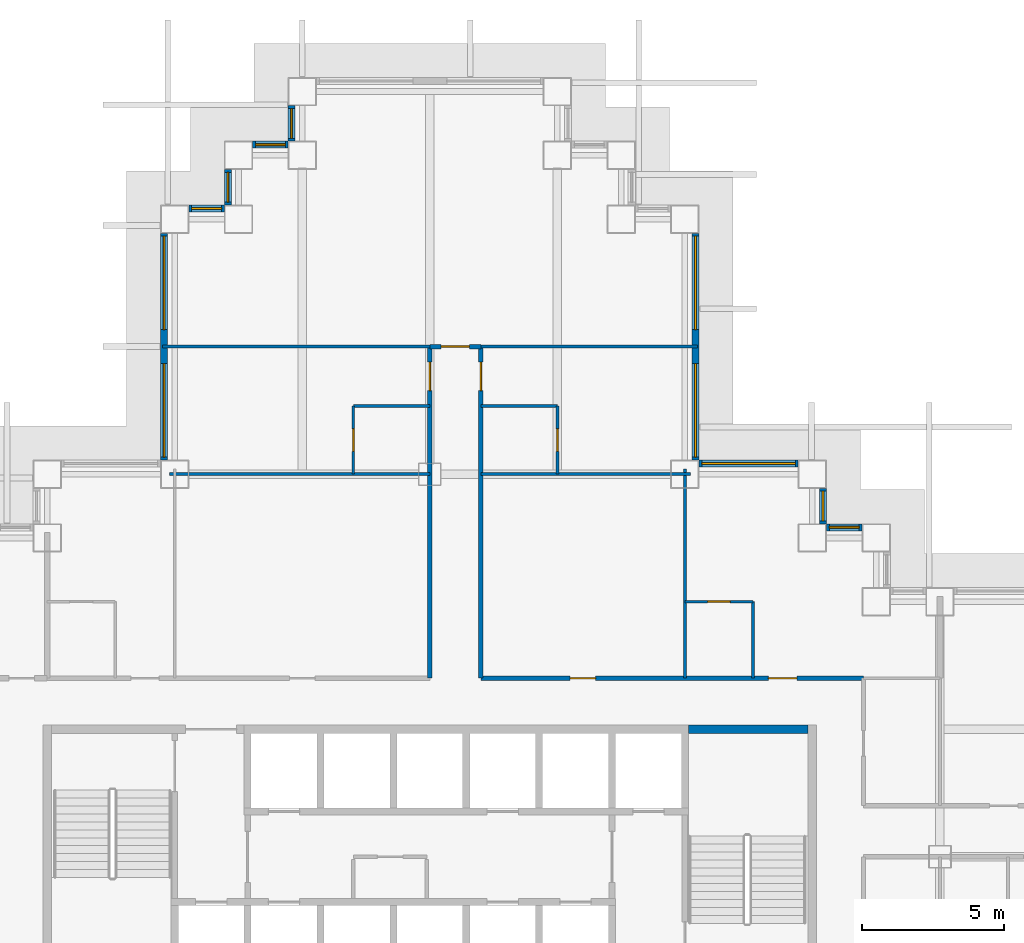
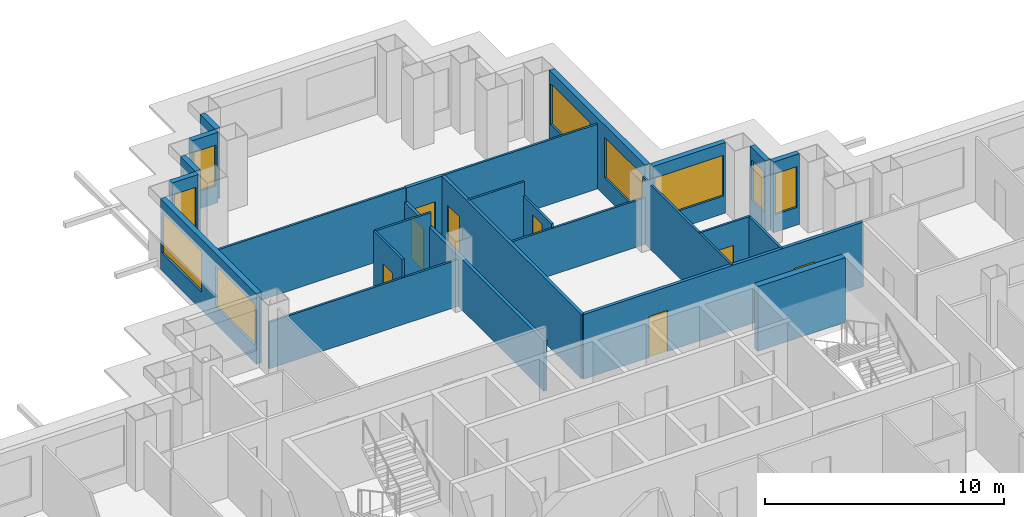
# One storey, part 8 of 15: 25 walls, 11 windows, 8 doors, 19 openings.
"""IFC4 building model written with IfcOpenShell, lengths in metres."""

from ifc_helpers import new_model, si_unit, direction, frame, frame_2d, origin, place, context, subcontext, project, spatial, rectangle, extrude, material, layer, layer_set, type_object, element, fill, save


model = new_model("IFC4")

# Units and contexts
model_context = context("Model", 3, precision=1e-05, world=origin(), true_north=direction((0.0, 1.0)))
body_context = subcontext(model_context, "Body", "Model", "MODEL_VIEW")
ifc_project = project(units=[si_unit("LENGTHUNIT", "METRE"), si_unit("AREAUNIT", "SQUARE_METRE"), si_unit("VOLUMEUNIT", "CUBIC_METRE"), si_unit("PLANEANGLEUNIT", "RADIAN"), si_unit("MASSUNIT", "GRAM", prefix="KILO")], contexts=[model_context])

# Site, building, storey
site_placement = place(None, origin())
site = spatial("IfcSite", under=ifc_project, at=site_placement, CompositionType="ELEMENT")
building_placement = place(site_placement, origin())
building = spatial("IfcBuilding", under=site, at=building_placement, Name="Caravel Reach Hotel and Residences", CompositionType="ELEMENT")
storey_placement = place(building_placement, frame((0.0, 0.0, 60.0)))
storey = spatial("IfcBuildingStorey", under=building, at=storey_placement, Name="L13", CompositionType="ELEMENT", Elevation=60.0)

# Wall, opening, door
ifc_material_1 = material(Name="Gypsum board on steel stud", Category="steel")
ifc_layer_1 = layer(ifc_material_1, 0.10009765625)
ifc_layer_set_1 = layer_set([ifc_layer_1], Name="Bathroom pod wall 100 mm")
wall_type_1 = type_object("IfcWallType", Name="Bathroom pod wall 100 mm", PredefinedType="PARTITIONING", material=ifc_layer_set_1)
wall_1_placement = place(storey_placement, frame((40.5, 36.0, 0.0), z_axis=(0.0, 0.0, 1.0), x_axis=(1.0, 0.0, 0.0)))
wall_1 = element("IfcWall", 1, at=wall_1_placement, inside=storey, type_object=wall_type_1, Name="L13 wall w083", PredefinedType="PARTITIONING", context=body_context, shape_type="SweptSolid", body=[
    extrude(rectangle(XDim=2.39990234375, YDim=0.10009765625, at=frame_2d((1.199951171875, 0.0))), origin(), (0.0, 0.0, 1.0), 3.300048828125),
])
opening_1_placement = place(wall_1_placement, frame((0.800048828125, 0.0, 0.0)))
opening_1 = element("IfcOpeningElement", 2, at=opening_1_placement, cuts=wall_1, Name="Opening D13-045", PredefinedType="OPENING", context=body_context, shape_type="SweptSolid", body=[
    extrude(rectangle(XDim=0.800048828125, YDim=2.10009765625, at=frame_2d((0.39990234375, 1.050048828125))), frame((0.0, 0.06005859375, 0.0), z_axis=(0.0, -1.0, 0.0), x_axis=(1.0, 0.0, 0.0)), (0.0, 0.0, 1.0), 0.1201171875),
])
ifc_material_2 = material(Name="Timber and steel door leaf", Category="steel")
door_type_1 = type_object("IfcDoorType", Name="Bathroom door 800 x 2100", OperationType="SINGLE_SWING_LEFT", PredefinedType="DOOR", material=ifc_material_2)
door_1_placement = place(opening_1_placement, origin())
door_1 = element("IfcDoor", 3, at=door_1_placement, inside=storey, type_object=door_type_1, Name="door D13-045", OperationType="SINGLE_SWING_RIGHT", OverallHeight=2.10009765625, OverallWidth=0.800048828125, PredefinedType="DOOR", context=body_context, shape_type="SweptSolid", body=[
    extrude(rectangle(XDim=0.800048828125, YDim=2.10009765625, at=frame_2d((0.39990234375, 1.050048828125))), frame((0.0, 0.02490234375, 0.0), z_axis=(0.0, -1.0, 0.0), x_axis=(1.0, 0.0, 0.0)), (0.0, 0.0, 1.0), 0.050048828125),
])
fill(opening_1, door_1)

# Walls
for number, where, z_axis, x_axis, name in (
    (4, (33.300048828125, 42.89990234375, 0.0), (0.0, 0.0, 1.0), (1.0, 0.0, 0.0), "L13 wall w084"),
    (5, (28.800048828125, 42.89990234375, 0.0), (0.0, 0.0, 1.0), (1.0, 0.0, 0.0), "L13 wall w085"),
):
    element("IfcWall", number, at=place(storey_placement, frame(where, z_axis=z_axis, x_axis=x_axis)), inside=storey, type_object=wall_type_1, Name=name, PredefinedType="PARTITIONING", context=body_context, shape_type="SweptSolid", body=[
        extrude(rectangle(XDim=2.699951171875, YDim=0.10009765625, at=frame_2d((1.35009765625, 0.0))), origin(), (0.0, 0.0, 1.0), 3.300048828125),
    ])

# Wall, opening, door
wall_2_placement = place(storey_placement, frame((28.800048828125, 40.5, 0.0), z_axis=(0.0, 0.0, 1.0), x_axis=(0.0, 1.0, 0.0)))
wall_2 = element("IfcWall", 6, at=wall_2_placement, inside=storey, type_object=wall_type_1, Name="L13 wall w094", PredefinedType="PARTITIONING", context=body_context, shape_type="SweptSolid", body=[
    extrude(rectangle(XDim=2.39990234375, YDim=0.10009765625, at=frame_2d((1.199951171875, 0.0))), origin(), (0.0, 0.0, 1.0), 3.300048828125),
])
opening_2_placement = place(wall_2_placement, frame((0.800048828125, 0.0, 0.0)))
opening_2 = element("IfcOpeningElement", 7, at=opening_2_placement, cuts=wall_2, Name="Opening D13-027", PredefinedType="OPENING", context=body_context, shape_type="SweptSolid", body=[
    extrude(rectangle(XDim=0.800048828125, YDim=2.10009765625, at=frame_2d((0.39990234375, 1.050048828125))), frame((0.0, 0.06005859375, 0.0), z_axis=(0.0, -1.0, 0.0), x_axis=(1.0, 0.0, 0.0)), (0.0, 0.0, 1.0), 0.1201171875),
])
door_2_placement = place(opening_2_placement, origin())
door_2 = element("IfcDoor", 8, at=door_2_placement, inside=storey, type_object=door_type_1, Name="door D13-027", OperationType="SINGLE_SWING_RIGHT", OverallHeight=2.10009765625, OverallWidth=0.800048828125, PredefinedType="DOOR", context=body_context, shape_type="SweptSolid", body=[
    extrude(rectangle(XDim=0.800048828125, YDim=2.10009765625, at=frame_2d((0.39990234375, 1.050048828125))), frame((0.0, 0.02490234375, 0.0), z_axis=(0.0, -1.0, 0.0), x_axis=(1.0, 0.0, 0.0)), (0.0, 0.0, 1.0), 0.050048828125),
])
fill(opening_2, door_2)

wall_3_placement = place(storey_placement, frame((36.0, 40.5, 0.0), z_axis=(0.0, 0.0, 1.0), x_axis=(0.0, 1.0, 0.0)))
wall_3 = element("IfcWall", 9, at=wall_3_placement, inside=storey, type_object=wall_type_1, Name="L13 wall w096", PredefinedType="PARTITIONING", context=body_context, shape_type="SweptSolid", body=[
    extrude(rectangle(XDim=2.39990234375, YDim=0.10009765625, at=frame_2d((1.199951171875, 0.0))), origin(), (0.0, 0.0, 1.0), 2.580078125),
])
opening_3_placement = place(wall_3_placement, frame((0.800048828125, 0.0, 0.0)))
opening_3 = element("IfcOpeningElement", 10, at=opening_3_placement, cuts=wall_3, Name="Opening D13-029", PredefinedType="OPENING", context=body_context, shape_type="SweptSolid", body=[
    extrude(rectangle(XDim=0.800048828125, YDim=2.10009765625, at=frame_2d((0.39990234375, 1.050048828125))), frame((0.0, 0.06005859375, 0.0), z_axis=(0.0, -1.0, 0.0), x_axis=(1.0, 0.0, 0.0)), (0.0, 0.0, 1.0), 0.1201171875),
])
door_3_placement = place(opening_3_placement, origin())
door_3 = element("IfcDoor", 11, at=door_3_placement, inside=storey, type_object=door_type_1, Name="door D13-029", OperationType="SINGLE_SWING_LEFT", OverallHeight=2.10009765625, OverallWidth=0.800048828125, PredefinedType="DOOR", context=body_context, shape_type="SweptSolid", body=[
    extrude(rectangle(XDim=0.800048828125, YDim=2.10009765625, at=frame_2d((0.39990234375, 1.050048828125))), frame((0.0, 0.02490234375, 0.0), z_axis=(0.0, -1.0, 0.0), x_axis=(1.0, 0.0, 0.0)), (0.0, 0.0, 1.0), 0.050048828125),
])
fill(opening_3, door_3)

# Walls
wall_4_placement = place(storey_placement, frame((42.89990234375, 33.300048828125, 0.0), z_axis=(0.0, 0.0, 1.0), x_axis=(0.0, 1.0, 0.0)))
element("IfcWall", 12, at=wall_4_placement, inside=storey, type_object=wall_type_1, Name="L13 wall w097", PredefinedType="PARTITIONING", context=body_context, shape_type="SweptSolid", body=[
    extrude(rectangle(XDim=2.699951171875, YDim=0.10009765625, at=frame_2d((1.35009765625, 0.0))), origin(), (0.0, 0.0, 1.0), 3.300048828125),
])
ifc_material_3 = material(Name="Concrete C60", Category="concrete")
ifc_layer_2 = layer(ifc_material_3, 0.300048828125)
ifc_layer_set_2 = layer_set([ifc_layer_2], Name="Core wall 300 mm EI 120")
wall_type_2 = type_object("IfcWallType", Name="Core wall 300 mm EI 120", PredefinedType="SHEAR", material=ifc_layer_set_2)
wall_5_placement = place(storey_placement, frame((40.625, 31.5, 0.0), z_axis=(0.0, 0.0, 1.0), x_axis=(1.0, 0.0, 0.0)))
element("IfcWall", 13, at=wall_5_placement, inside=storey, type_object=wall_type_2, Name="L13 core wall N2", PredefinedType="SHEAR", context=body_context, shape_type="SweptSolid", body=[
    extrude(rectangle(XDim=4.22509765625, YDim=0.300048828125, at=frame_2d((2.112548828125, 0.0))), origin(), (0.0, 0.0, 1.0), 3.300048828125),
])

# Wall, openings, doors
ifc_material_4 = material(Name="Gypsum board on steel stud, fire-rated", Category="steel")
ifc_layer_3 = layer(ifc_material_4, 0.14990234375)
ifc_layer_set_3 = layer_set([ifc_layer_3], Name="Corridor wall 150 mm EI 60")
wall_type_3 = type_object("IfcWallType", Name="Corridor wall 150 mm EI 60", PredefinedType="PARTITIONING", material=ifc_layer_set_3)
wall_6_placement = place(storey_placement, frame((33.300048828125, 33.300048828125, 0.0), z_axis=(0.0, 0.0, 1.0), x_axis=(1.0, 0.0, 0.0)))
wall_6 = element("IfcWall", 14, at=wall_6_placement, inside=storey, type_object=wall_type_3, Name="L13 wall w021", PredefinedType="PARTITIONING", context=body_context, shape_type="SweptSolid", body=[
    extrude(rectangle(XDim=13.5, YDim=0.14990234375, at=frame_2d((6.75, 0.0))), origin(), (0.0, 0.0, 1.0), 3.300048828125),
])
opening_4_placement = place(wall_6_placement, frame((10.14990234375, 0.0, 0.0)))
opening_4 = element("IfcOpeningElement", 15, at=opening_4_placement, cuts=wall_6, Name="Opening D13-044", PredefinedType="OPENING", context=body_context, shape_type="SweptSolid", body=[
    extrude(rectangle(XDim=1.0, YDim=2.10009765625, at=frame_2d((0.5, 1.050048828125))), frame((0.0, 0.0849609375, 0.0), z_axis=(0.0, -1.0, 0.0), x_axis=(1.0, 0.0, 0.0)), (0.0, 0.0, 1.0), 0.169921875),
])
opening_5_placement = place(wall_6_placement, frame((3.14990234375, 0.0, 0.0)))
opening_5 = element("IfcOpeningElement", 16, at=opening_5_placement, cuts=wall_6, Name="Opening D13-053", PredefinedType="OPENING", context=body_context, shape_type="SweptSolid", body=[
    extrude(rectangle(XDim=0.89990234375, YDim=2.10009765625, at=frame_2d((0.449951171875, 1.050048828125))), frame((0.0, 0.0849609375, 0.0), z_axis=(0.0, -1.0, 0.0), x_axis=(1.0, 0.0, 0.0)), (0.0, 0.0, 1.0), 0.169921875),
])
ifc_material_5 = material(Name="Timber and steel door leaf", Category="steel")
door_type_2 = type_object("IfcDoorType", Name="Door 900 x 2100 timber", OperationType="SINGLE_SWING_LEFT", PredefinedType="DOOR", material=ifc_material_5)
door_4_placement = place(opening_5_placement, origin())
door_4 = element("IfcDoor", 17, at=door_4_placement, inside=storey, type_object=door_type_2, Name="door D13-053", OperationType="SINGLE_SWING_LEFT", OverallHeight=2.10009765625, OverallWidth=0.89990234375, PredefinedType="DOOR", context=body_context, shape_type="SweptSolid", body=[
    extrude(rectangle(XDim=0.89990234375, YDim=2.10009765625, at=frame_2d((0.449951171875, 1.050048828125))), frame((0.0, 0.02490234375, 0.0), z_axis=(0.0, -1.0, 0.0), x_axis=(1.0, 0.0, 0.0)), (0.0, 0.0, 1.0), 0.050048828125),
])
fill(opening_5, door_4)
ifc_material_6 = material(Name="Steel fire door leaf", Category="steel")
door_type_3 = type_object("IfcDoorType", Name="Guest room door 1000 x 2100 EI 30", OperationType="SINGLE_SWING_LEFT", PredefinedType="DOOR", material=ifc_material_6)
door_5_placement = place(opening_4_placement, origin())
door_5 = element("IfcDoor", 18, at=door_5_placement, inside=storey, type_object=door_type_3, Name="door D13-044", OperationType="SINGLE_SWING_RIGHT", OverallHeight=2.10009765625, OverallWidth=1.0, PredefinedType="DOOR", context=body_context, shape_type="SweptSolid", body=[
    extrude(rectangle(XDim=1.0, YDim=2.10009765625, at=frame_2d((0.5, 1.050048828125))), frame((0.0, 0.02490234375, 0.0), z_axis=(0.0, -1.0, 0.0), x_axis=(1.0, 0.0, 0.0)), (0.0, 0.0, 1.0), 0.050048828125),
])
fill(opening_4, door_5)

# Wall, opening, door
wall_7_placement = place(storey_placement, frame((31.5, 45.0, 0.0), z_axis=(0.0, 0.0, 1.0), x_axis=(1.0, 0.0, 0.0)))
wall_7 = element("IfcWall", 19, at=wall_7_placement, inside=storey, type_object=wall_type_3, Name="L13 wall w023", PredefinedType="PARTITIONING", context=body_context, shape_type="SweptSolid", body=[
    extrude(rectangle(XDim=1.800048828125, YDim=0.14990234375, at=frame_2d((0.89990234375, 0.0))), origin(), (0.0, 0.0, 1.0), 3.300048828125),
])
opening_6_placement = place(wall_7_placement, frame((0.39990234375, 0.0, 0.0)))
opening_6 = element("IfcOpeningElement", 20, at=opening_6_placement, cuts=wall_7, Name="Opening D13-039", PredefinedType="OPENING", context=body_context, shape_type="SweptSolid", body=[
    extrude(rectangle(XDim=1.0, YDim=2.10009765625, at=frame_2d((0.5, 1.050048828125))), frame((0.0, 0.0849609375, 0.0), z_axis=(0.0, -1.0, 0.0), x_axis=(1.0, 0.0, 0.0)), (0.0, 0.0, 1.0), 0.169921875),
])
door_6_placement = place(opening_6_placement, origin())
door_6 = element("IfcDoor", 21, at=door_6_placement, inside=storey, type_object=door_type_3, Name="door D13-039", OperationType="SINGLE_SWING_RIGHT", OverallHeight=2.10009765625, OverallWidth=1.0, PredefinedType="DOOR", context=body_context, shape_type="SweptSolid", body=[
    extrude(rectangle(XDim=1.0, YDim=2.10009765625, at=frame_2d((0.5, 1.050048828125))), frame((0.0, 0.02490234375, 0.0), z_axis=(0.0, -1.0, 0.0), x_axis=(1.0, 0.0, 0.0)), (0.0, 0.0, 1.0), 0.050048828125),
])
fill(opening_6, door_6)

wall_8_placement = place(storey_placement, frame((31.5, 33.300048828125, 0.0), z_axis=(0.0, 0.0, 1.0), x_axis=(0.0, 1.0, 0.0)))
wall_8 = element("IfcWall", 22, at=wall_8_placement, inside=storey, type_object=wall_type_3, Name="L13 wall w030", PredefinedType="PARTITIONING", context=body_context, shape_type="SweptSolid", body=[
    extrude(rectangle(XDim=11.699951171875, YDim=0.14990234375, at=frame_2d((5.85009765625, 0.0))), origin(), (0.0, 0.0, 1.0), 2.580078125),
])
opening_7_placement = place(wall_8_placement, frame((10.14990234375, 0.0, 0.0)))
opening_7 = element("IfcOpeningElement", 23, at=opening_7_placement, cuts=wall_8, Name="Opening D13-026", PredefinedType="OPENING", context=body_context, shape_type="SweptSolid", body=[
    extrude(rectangle(XDim=1.0, YDim=2.10009765625, at=frame_2d((0.5, 1.050048828125))), frame((0.0, 0.0849609375, 0.0), z_axis=(0.0, -1.0, 0.0), x_axis=(1.0, 0.0, 0.0)), (0.0, 0.0, 1.0), 0.169921875),
])
door_7_placement = place(opening_7_placement, origin())
door_7 = element("IfcDoor", 24, at=door_7_placement, inside=storey, type_object=door_type_3, Name="door D13-026", OperationType="SINGLE_SWING_RIGHT", OverallHeight=2.10009765625, OverallWidth=1.0, PredefinedType="DOOR", context=body_context, shape_type="SweptSolid", body=[
    extrude(rectangle(XDim=1.0, YDim=2.10009765625, at=frame_2d((0.5, 1.050048828125))), frame((0.0, 0.02490234375, 0.0), z_axis=(0.0, -1.0, 0.0), x_axis=(1.0, 0.0, 0.0)), (0.0, 0.0, 1.0), 0.050048828125),
])
fill(opening_7, door_7)

wall_9_placement = place(storey_placement, frame((33.300048828125, 33.300048828125, 0.0), z_axis=(0.0, 0.0, 1.0), x_axis=(0.0, 1.0, 0.0)))
wall_9 = element("IfcWall", 25, at=wall_9_placement, inside=storey, type_object=wall_type_3, Name="L13 wall w035", PredefinedType="PARTITIONING", context=body_context, shape_type="SweptSolid", body=[
    extrude(rectangle(XDim=11.699951171875, YDim=0.14990234375, at=frame_2d((5.85009765625, 0.0))), origin(), (0.0, 0.0, 1.0), 3.300048828125),
])
opening_8_placement = place(wall_9_placement, frame((10.14990234375, 0.0, 0.0)))
opening_8 = element("IfcOpeningElement", 26, at=opening_8_placement, cuts=wall_9, Name="Opening D13-028", PredefinedType="OPENING", context=body_context, shape_type="SweptSolid", body=[
    extrude(rectangle(XDim=1.0, YDim=2.10009765625, at=frame_2d((0.5, 1.050048828125))), frame((0.0, 0.0849609375, 0.0), z_axis=(0.0, -1.0, 0.0), x_axis=(1.0, 0.0, 0.0)), (0.0, 0.0, 1.0), 0.169921875),
])
door_8_placement = place(opening_8_placement, origin())
door_8 = element("IfcDoor", 27, at=door_8_placement, inside=storey, type_object=door_type_3, Name="door D13-028", OperationType="SINGLE_SWING_RIGHT", OverallHeight=2.10009765625, OverallWidth=1.0, PredefinedType="DOOR", context=body_context, shape_type="SweptSolid", body=[
    extrude(rectangle(XDim=1.0, YDim=2.10009765625, at=frame_2d((0.5, 1.050048828125))), frame((0.0, 0.02490234375, 0.0), z_axis=(0.0, -1.0, 0.0), x_axis=(1.0, 0.0, 0.0)), (0.0, 0.0, 1.0), 0.050048828125),
])
fill(opening_8, door_8)

# Wall, opening, window
ifc_material_7 = material(Name="Insulated rainscreen wall, aluminium cladding", Category="aluminium")
ifc_layer_4 = layer(ifc_material_7, 0.25)
ifc_layer_set_4 = layer_set([ifc_layer_4], Name="EW1 Tower rainscreen wall")
wall_type_4 = type_object("IfcWallType", Name="EW1 Tower rainscreen wall", PredefinedType="SOLIDWALL", material=ifc_layer_set_4)
wall_10_placement = place(storey_placement, frame((46.75, 38.625, 0.0), z_axis=(0.0, 0.0, 1.0), x_axis=(-1.0, 0.0, 0.0)))
wall_10 = element("IfcWall", 28, at=wall_10_placement, inside=storey, type_object=wall_type_4, Name="External wall L13 N27.1", PredefinedType="SOLIDWALL", context=body_context, shape_type="SweptSolid", body=[
    extrude(rectangle(XDim=1.25, YDim=0.25, at=frame_2d((0.625, 0.0))), origin(), (0.0, 0.0, 1.0), 3.60009765625),
])
opening_9_placement = place(wall_10_placement, frame((0.10009765625, 0.0, 0.89990234375)))
opening_9 = element("IfcOpeningElement", 29, at=opening_9_placement, cuts=wall_10, Name="Opening WN3", PredefinedType="OPENING", context=body_context, shape_type="SweptSolid", body=[
    extrude(rectangle(XDim=1.050048828125, YDim=2.080078125, at=frame_2d((0.52490234375, 1.0400390625))), frame((0.0, 0.135009765625, 0.0), z_axis=(0.0, -1.0, 0.0), x_axis=(1.0, 0.0, 0.0)), (0.0, 0.0, 1.0), 0.27001953125),
])
ifc_material_8 = material(Name="Dark low-e glazing in black aluminium frame", Category="aluminium")
window_type_1 = type_object("IfcWindowType", Name="Hotel suite corner window 1050 x 2080", PartitioningType="SINGLE_PANEL", PredefinedType="WINDOW", material=ifc_material_8)
window_1_placement = place(opening_9_placement, origin())
window_1 = element("IfcWindow", 30, at=window_1_placement, inside=storey, type_object=window_type_1, Name="Window L13 N27.1.1", OverallHeight=2.080078125, OverallWidth=1.050048828125, PartitioningType="SINGLE_PANEL", PredefinedType="WINDOW", context=body_context, shape_type="SweptSolid", body=[
    extrude(rectangle(XDim=1.050048828125, YDim=2.080078125, at=frame_2d((0.52490234375, 1.0400390625))), frame((0.0, 0.030029296875, 0.0), z_axis=(0.0, -1.0, 0.0), x_axis=(1.0, 0.0, 0.0)), (0.0, 0.0, 1.0), 0.06005859375),
])
fill(opening_9, window_1)

wall_11_placement = place(storey_placement, frame((45.375, 38.75, 0.0), z_axis=(0.0, 0.0, 1.0), x_axis=(0.0, 1.0, 0.0)))
wall_11 = element("IfcWall", 31, at=wall_11_placement, inside=storey, type_object=wall_type_4, Name="External wall L13 E28.1", PredefinedType="SOLIDWALL", context=body_context, shape_type="SweptSolid", body=[
    extrude(rectangle(XDim=1.25, YDim=0.25, at=frame_2d((0.625, 0.0))), origin(), (0.0, 0.0, 1.0), 3.60009765625),
])
opening_10_placement = place(wall_11_placement, frame((0.10009765625, 0.0, 0.89990234375)))
opening_10 = element("IfcOpeningElement", 32, at=opening_10_placement, cuts=wall_11, Name="Opening WN3", PredefinedType="OPENING", context=body_context, shape_type="SweptSolid", body=[
    extrude(rectangle(XDim=1.050048828125, YDim=2.080078125, at=frame_2d((0.52490234375, 1.0400390625))), frame((0.0, 0.135009765625, 0.0), z_axis=(0.0, -1.0, 0.0), x_axis=(1.0, 0.0, 0.0)), (0.0, 0.0, 1.0), 0.27001953125),
])
window_2_placement = place(opening_10_placement, origin())
window_2 = element("IfcWindow", 33, at=window_2_placement, inside=storey, type_object=window_type_1, Name="Window L13 E28.1.1", OverallHeight=2.080078125, OverallWidth=1.050048828125, PartitioningType="SINGLE_PANEL", PredefinedType="WINDOW", context=body_context, shape_type="SweptSolid", body=[
    extrude(rectangle(XDim=1.050048828125, YDim=2.080078125, at=frame_2d((0.52490234375, 1.0400390625))), frame((0.0, 0.030029296875, 0.0), z_axis=(0.0, -1.0, 0.0), x_axis=(1.0, 0.0, 0.0)), (0.0, 0.0, 1.0), 0.06005859375),
])
fill(opening_10, window_2)

wall_12_placement = place(storey_placement, frame((44.5, 40.875, 0.0), z_axis=(0.0, 0.0, 1.0), x_axis=(-1.0, 0.0, 0.0)))
wall_12 = element("IfcWall", 34, at=wall_12_placement, inside=storey, type_object=wall_type_4, Name="External wall L13 N29.1", PredefinedType="SOLIDWALL", context=body_context, shape_type="SweptSolid", body=[
    extrude(rectangle(XDim=3.5, YDim=0.25, at=frame_2d((1.75, 0.0))), origin(), (0.0, 0.0, 1.0), 3.60009765625),
])
opening_11_placement = place(wall_12_placement, frame((0.10009765625, 0.0, 0.89990234375)))
opening_11 = element("IfcOpeningElement", 35, at=opening_11_placement, cuts=wall_12, Name="Opening WN4", PredefinedType="OPENING", context=body_context, shape_type="SweptSolid", body=[
    extrude(rectangle(XDim=3.300048828125, YDim=2.080078125, at=frame_2d((1.64990234375, 1.0400390625))), frame((0.0, 0.135009765625, 0.0), z_axis=(0.0, -1.0, 0.0), x_axis=(1.0, 0.0, 0.0)), (0.0, 0.0, 1.0), 0.27001953125),
])
ifc_material_9 = material(Name="Dark low-e glazing in black aluminium frame", Category="aluminium")
window_type_2 = type_object("IfcWindowType", Name="Hotel guest room window 3300 x 2080", PartitioningType="SINGLE_PANEL", PredefinedType="WINDOW", material=ifc_material_9)
window_3_placement = place(opening_11_placement, origin())
window_3 = element("IfcWindow", 36, at=window_3_placement, inside=storey, type_object=window_type_2, Name="Window L13 N29.1.1", OverallHeight=2.080078125, OverallWidth=3.300048828125, PartitioningType="SINGLE_PANEL", PredefinedType="WINDOW", context=body_context, shape_type="SweptSolid", body=[
    extrude(rectangle(XDim=3.300048828125, YDim=2.080078125, at=frame_2d((1.64990234375, 1.0400390625))), frame((0.0, 0.030029296875, 0.0), z_axis=(0.0, -1.0, 0.0), x_axis=(1.0, 0.0, 0.0)), (0.0, 0.0, 1.0), 0.06005859375),
])
fill(opening_11, window_3)

# Wall, openings, windows
wall_13_placement = place(storey_placement, frame((40.875, 41.0, 0.0), z_axis=(0.0, 0.0, 1.0), x_axis=(0.0, 1.0, 0.0)))
wall_13 = element("IfcWall", 37, at=wall_13_placement, inside=storey, type_object=wall_type_4, Name="External wall L13 E30.1", PredefinedType="SOLIDWALL", context=body_context, shape_type="SweptSolid", body=[
    extrude(rectangle(XDim=8.0, YDim=0.25, at=frame_2d((4.0, 0.0))), origin(), (0.0, 0.0, 1.0), 3.60009765625),
])
opening_12_placement = place(wall_13_placement, frame((0.10009765625, 0.0, 0.89990234375)))
opening_12 = element("IfcOpeningElement", 38, at=opening_12_placement, cuts=wall_13, Name="Opening WN4", PredefinedType="OPENING", context=body_context, shape_type="SweptSolid", body=[
    extrude(rectangle(XDim=3.300048828125, YDim=2.080078125, at=frame_2d((1.64990234375, 1.0400390625))), frame((0.0, 0.135009765625, 0.0), z_axis=(0.0, -1.0, 0.0), x_axis=(1.0, 0.0, 0.0)), (0.0, 0.0, 1.0), 0.27001953125),
])
opening_13_placement = place(wall_13_placement, frame((4.60009765625, 0.0, 0.89990234375)))
opening_13 = element("IfcOpeningElement", 39, at=opening_13_placement, cuts=wall_13, Name="Opening WN4", PredefinedType="OPENING", context=body_context, shape_type="SweptSolid", body=[
    extrude(rectangle(XDim=3.300048828125, YDim=2.080078125, at=frame_2d((1.64990234375, 1.0400390625))), frame((0.0, 0.135009765625, 0.0), z_axis=(0.0, -1.0, 0.0), x_axis=(1.0, 0.0, 0.0)), (0.0, 0.0, 1.0), 0.27001953125),
])
window_4_placement = place(opening_12_placement, origin())
window_4 = element("IfcWindow", 40, at=window_4_placement, inside=storey, type_object=window_type_2, Name="Window L13 E30.1.1", OverallHeight=2.080078125, OverallWidth=3.300048828125, PartitioningType="SINGLE_PANEL", PredefinedType="WINDOW", context=body_context, shape_type="SweptSolid", body=[
    extrude(rectangle(XDim=3.300048828125, YDim=2.080078125, at=frame_2d((1.64990234375, 1.0400390625))), frame((0.0, 0.030029296875, 0.0), z_axis=(0.0, -1.0, 0.0), x_axis=(1.0, 0.0, 0.0)), (0.0, 0.0, 1.0), 0.06005859375),
])
fill(opening_12, window_4)
window_5_placement = place(opening_13_placement, origin())
window_5 = element("IfcWindow", 41, at=window_5_placement, inside=storey, type_object=window_type_2, Name="Window L13 E30.1.2", OverallHeight=2.080078125, OverallWidth=3.300048828125, PartitioningType="SINGLE_PANEL", PredefinedType="WINDOW", context=body_context, shape_type="SweptSolid", body=[
    extrude(rectangle(XDim=3.300048828125, YDim=2.080078125, at=frame_2d((1.64990234375, 1.0400390625))), frame((0.0, 0.030029296875, 0.0), z_axis=(0.0, -1.0, 0.0), x_axis=(1.0, 0.0, 0.0)), (0.0, 0.0, 1.0), 0.06005859375),
])
fill(opening_13, window_5)

# Wall, opening, window
wall_14_placement = place(storey_placement, frame((26.625, 53.5, 0.0), z_axis=(0.0, 0.0, 1.0), x_axis=(0.0, -1.0, 0.0)))
wall_14 = element("IfcWall", 42, at=wall_14_placement, inside=storey, type_object=wall_type_4, Name="External wall L13 W36.1", PredefinedType="SOLIDWALL", context=body_context, shape_type="SweptSolid", body=[
    extrude(rectangle(XDim=1.25, YDim=0.25, at=frame_2d((0.625, 0.0))), origin(), (0.0, 0.0, 1.0), 3.60009765625),
])
opening_14_placement = place(wall_14_placement, frame((0.10009765625, 0.0, 0.89990234375)))
opening_14 = element("IfcOpeningElement", 43, at=opening_14_placement, cuts=wall_14, Name="Opening WN3", PredefinedType="OPENING", context=body_context, shape_type="SweptSolid", body=[
    extrude(rectangle(XDim=1.050048828125, YDim=2.080078125, at=frame_2d((0.52490234375, 1.0400390625))), frame((0.0, 0.135009765625, 0.0), z_axis=(0.0, -1.0, 0.0), x_axis=(1.0, 0.0, 0.0)), (0.0, 0.0, 1.0), 0.27001953125),
])
window_6_placement = place(opening_14_placement, origin())
window_6 = element("IfcWindow", 44, at=window_6_placement, inside=storey, type_object=window_type_1, Name="Window L13 W36.1.1", OverallHeight=2.080078125, OverallWidth=1.050048828125, PartitioningType="SINGLE_PANEL", PredefinedType="WINDOW", context=body_context, shape_type="SweptSolid", body=[
    extrude(rectangle(XDim=1.050048828125, YDim=2.080078125, at=frame_2d((0.52490234375, 1.0400390625))), frame((0.0, 0.030029296875, 0.0), z_axis=(0.0, -1.0, 0.0), x_axis=(1.0, 0.0, 0.0)), (0.0, 0.0, 1.0), 0.06005859375),
])
fill(opening_14, window_6)

wall_15_placement = place(storey_placement, frame((26.5, 52.125, 0.0), z_axis=(0.0, 0.0, 1.0), x_axis=(-1.0, 0.0, 0.0)))
wall_15 = element("IfcWall", 45, at=wall_15_placement, inside=storey, type_object=wall_type_4, Name="External wall L13 N37.1", PredefinedType="SOLIDWALL", context=body_context, shape_type="SweptSolid", body=[
    extrude(rectangle(XDim=1.25, YDim=0.25, at=frame_2d((0.625, 0.0))), origin(), (0.0, 0.0, 1.0), 3.60009765625),
])
opening_15_placement = place(wall_15_placement, frame((0.10009765625, 0.0, 0.89990234375)))
opening_15 = element("IfcOpeningElement", 46, at=opening_15_placement, cuts=wall_15, Name="Opening WN3", PredefinedType="OPENING", context=body_context, shape_type="SweptSolid", body=[
    extrude(rectangle(XDim=1.050048828125, YDim=2.080078125, at=frame_2d((0.52490234375, 1.0400390625))), frame((0.0, 0.135009765625, 0.0), z_axis=(0.0, -1.0, 0.0), x_axis=(1.0, 0.0, 0.0)), (0.0, 0.0, 1.0), 0.27001953125),
])
window_7_placement = place(opening_15_placement, origin())
window_7 = element("IfcWindow", 47, at=window_7_placement, inside=storey, type_object=window_type_1, Name="Window L13 N37.1.1", OverallHeight=2.080078125, OverallWidth=1.050048828125, PartitioningType="SINGLE_PANEL", PredefinedType="WINDOW", context=body_context, shape_type="SweptSolid", body=[
    extrude(rectangle(XDim=1.050048828125, YDim=2.080078125, at=frame_2d((0.52490234375, 1.0400390625))), frame((0.0, 0.030029296875, 0.0), z_axis=(0.0, -1.0, 0.0), x_axis=(1.0, 0.0, 0.0)), (0.0, 0.0, 1.0), 0.06005859375),
])
fill(opening_15, window_7)

wall_16_placement = place(storey_placement, frame((24.375, 51.25, 0.0), z_axis=(0.0, 0.0, 1.0), x_axis=(0.0, -1.0, 0.0)))
wall_16 = element("IfcWall", 48, at=wall_16_placement, inside=storey, type_object=wall_type_4, Name="External wall L13 W38.1", PredefinedType="SOLIDWALL", context=body_context, shape_type="SweptSolid", body=[
    extrude(rectangle(XDim=1.25, YDim=0.25, at=frame_2d((0.625, 0.0))), origin(), (0.0, 0.0, 1.0), 3.60009765625),
])
opening_16_placement = place(wall_16_placement, frame((0.10009765625, 0.0, 0.89990234375)))
opening_16 = element("IfcOpeningElement", 49, at=opening_16_placement, cuts=wall_16, Name="Opening WN3", PredefinedType="OPENING", context=body_context, shape_type="SweptSolid", body=[
    extrude(rectangle(XDim=1.050048828125, YDim=2.080078125, at=frame_2d((0.52490234375, 1.0400390625))), frame((0.0, 0.135009765625, 0.0), z_axis=(0.0, -1.0, 0.0), x_axis=(1.0, 0.0, 0.0)), (0.0, 0.0, 1.0), 0.27001953125),
])
window_8_placement = place(opening_16_placement, origin())
window_8 = element("IfcWindow", 50, at=window_8_placement, inside=storey, type_object=window_type_1, Name="Window L13 W38.1.1", OverallHeight=2.080078125, OverallWidth=1.050048828125, PartitioningType="SINGLE_PANEL", PredefinedType="WINDOW", context=body_context, shape_type="SweptSolid", body=[
    extrude(rectangle(XDim=1.050048828125, YDim=2.080078125, at=frame_2d((0.52490234375, 1.0400390625))), frame((0.0, 0.030029296875, 0.0), z_axis=(0.0, -1.0, 0.0), x_axis=(1.0, 0.0, 0.0)), (0.0, 0.0, 1.0), 0.06005859375),
])
fill(opening_16, window_8)

wall_17_placement = place(storey_placement, frame((24.25, 49.875, 0.0), z_axis=(0.0, 0.0, 1.0), x_axis=(-1.0, 0.0, 0.0)))
wall_17 = element("IfcWall", 51, at=wall_17_placement, inside=storey, type_object=wall_type_4, Name="External wall L13 N39.1", PredefinedType="SOLIDWALL", context=body_context, shape_type="SweptSolid", body=[
    extrude(rectangle(XDim=1.25, YDim=0.25, at=frame_2d((0.625, 0.0))), origin(), (0.0, 0.0, 1.0), 3.60009765625),
])
opening_17_placement = place(wall_17_placement, frame((0.10009765625, 0.0, 0.89990234375)))
opening_17 = element("IfcOpeningElement", 52, at=opening_17_placement, cuts=wall_17, Name="Opening WN3", PredefinedType="OPENING", context=body_context, shape_type="SweptSolid", body=[
    extrude(rectangle(XDim=1.050048828125, YDim=2.080078125, at=frame_2d((0.52490234375, 1.0400390625))), frame((0.0, 0.135009765625, 0.0), z_axis=(0.0, -1.0, 0.0), x_axis=(1.0, 0.0, 0.0)), (0.0, 0.0, 1.0), 0.27001953125),
])
window_9_placement = place(opening_17_placement, origin())
window_9 = element("IfcWindow", 53, at=window_9_placement, inside=storey, type_object=window_type_1, Name="Window L13 N39.1.1", OverallHeight=2.080078125, OverallWidth=1.050048828125, PartitioningType="SINGLE_PANEL", PredefinedType="WINDOW", context=body_context, shape_type="SweptSolid", body=[
    extrude(rectangle(XDim=1.050048828125, YDim=2.080078125, at=frame_2d((0.52490234375, 1.0400390625))), frame((0.0, 0.030029296875, 0.0), z_axis=(0.0, -1.0, 0.0), x_axis=(1.0, 0.0, 0.0)), (0.0, 0.0, 1.0), 0.06005859375),
])
fill(opening_17, window_9)

# Wall, openings, windows
wall_18_placement = place(storey_placement, frame((22.125, 49.0, 0.0), z_axis=(0.0, 0.0, 1.0), x_axis=(0.0, -1.0, 0.0)))
wall_18 = element("IfcWall", 54, at=wall_18_placement, inside=storey, type_object=wall_type_4, Name="External wall L13 W40.1", PredefinedType="SOLIDWALL", context=body_context, shape_type="SweptSolid", body=[
    extrude(rectangle(XDim=8.0, YDim=0.25, at=frame_2d((4.0, 0.0))), origin(), (0.0, 0.0, 1.0), 3.60009765625),
])
opening_18_placement = place(wall_18_placement, frame((0.10009765625, 0.0, 0.89990234375)))
opening_18 = element("IfcOpeningElement", 55, at=opening_18_placement, cuts=wall_18, Name="Opening WN4", PredefinedType="OPENING", context=body_context, shape_type="SweptSolid", body=[
    extrude(rectangle(XDim=3.300048828125, YDim=2.080078125, at=frame_2d((1.64990234375, 1.0400390625))), frame((0.0, 0.135009765625, 0.0), z_axis=(0.0, -1.0, 0.0), x_axis=(1.0, 0.0, 0.0)), (0.0, 0.0, 1.0), 0.27001953125),
])
opening_19_placement = place(wall_18_placement, frame((4.60009765625, 0.0, 0.89990234375)))
opening_19 = element("IfcOpeningElement", 56, at=opening_19_placement, cuts=wall_18, Name="Opening WN4", PredefinedType="OPENING", context=body_context, shape_type="SweptSolid", body=[
    extrude(rectangle(XDim=3.300048828125, YDim=2.080078125, at=frame_2d((1.64990234375, 1.0400390625))), frame((0.0, 0.135009765625, 0.0), z_axis=(0.0, -1.0, 0.0), x_axis=(1.0, 0.0, 0.0)), (0.0, 0.0, 1.0), 0.27001953125),
])
window_10_placement = place(opening_18_placement, origin())
window_10 = element("IfcWindow", 57, at=window_10_placement, inside=storey, type_object=window_type_2, Name="Window L13 W40.1.1", OverallHeight=2.080078125, OverallWidth=3.300048828125, PartitioningType="SINGLE_PANEL", PredefinedType="WINDOW", context=body_context, shape_type="SweptSolid", body=[
    extrude(rectangle(XDim=3.300048828125, YDim=2.080078125, at=frame_2d((1.64990234375, 1.0400390625))), frame((0.0, 0.030029296875, 0.0), z_axis=(0.0, -1.0, 0.0), x_axis=(1.0, 0.0, 0.0)), (0.0, 0.0, 1.0), 0.06005859375),
])
fill(opening_18, window_10)
window_11_placement = place(opening_19_placement, origin())
window_11 = element("IfcWindow", 58, at=window_11_placement, inside=storey, type_object=window_type_2, Name="Window L13 W40.1.2", OverallHeight=2.080078125, OverallWidth=3.300048828125, PartitioningType="SINGLE_PANEL", PredefinedType="WINDOW", context=body_context, shape_type="SweptSolid", body=[
    extrude(rectangle(XDim=3.300048828125, YDim=2.080078125, at=frame_2d((1.64990234375, 1.0400390625))), frame((0.0, 0.030029296875, 0.0), z_axis=(0.0, -1.0, 0.0), x_axis=(1.0, 0.0, 0.0)), (0.0, 0.0, 1.0), 0.06005859375),
])
fill(opening_19, window_11)

# Walls
ifc_material_10 = material(Name="Gypsum board on steel stud", Category="steel")
ifc_layer_5 = layer(ifc_material_10, 0.10009765625)
ifc_layer_set_5 = layer_set([ifc_layer_5], Name="Partition 100 mm")
wall_type_5 = type_object("IfcWallType", Name="Partition 100 mm", PredefinedType="PARTITIONING", material=ifc_layer_set_5)
wall_19_placement = place(storey_placement, frame((33.300048828125, 40.5, 0.0), z_axis=(0.0, 0.0, 1.0), x_axis=(1.0, 0.0, 0.0)))
element("IfcWall", 59, at=wall_19_placement, inside=storey, type_object=wall_type_5, Name="L13 wall w048", PredefinedType="PARTITIONING", context=body_context, shape_type="SweptSolid", body=[
    extrude(rectangle(XDim=7.389892578125, YDim=0.10009765625, at=frame_2d((3.69482421875, 0.0))), origin(), (0.0, 0.0, 1.0), 2.3798828125),
])
wall_20_placement = place(storey_placement, frame((22.31005859375, 40.5, 0.0), z_axis=(0.0, 0.0, 1.0), x_axis=(1.0, 0.0, 0.0)))
element("IfcWall", 60, at=wall_20_placement, inside=storey, type_object=wall_type_5, Name="L13 wall w049", PredefinedType="PARTITIONING", context=body_context, shape_type="SweptSolid", body=[
    extrude(rectangle(XDim=9.18994140625, YDim=0.10009765625, at=frame_2d((4.594970703125, 0.0))), origin(), (0.0, 0.0, 1.0), 2.3798828125),
])
wall_21_placement = place(storey_placement, frame((33.300048828125, 45.0, 0.0), z_axis=(0.0, 0.0, 1.0), x_axis=(1.0, 0.0, 0.0)))
element("IfcWall", 61, at=wall_21_placement, inside=storey, type_object=wall_type_5, Name="L13 wall w050", PredefinedType="PARTITIONING", context=body_context, shape_type="SweptSolid", body=[
    extrude(rectangle(XDim=7.639892578125, YDim=0.10009765625, at=frame_2d((3.81982421875, 0.0))), origin(), (0.0, 0.0, 1.0), 3.300048828125),
])
wall_22_placement = place(storey_placement, frame((22.06005859375, 45.0, 0.0), z_axis=(0.0, 0.0, 1.0), x_axis=(1.0, 0.0, 0.0)))
element("IfcWall", 62, at=wall_22_placement, inside=storey, type_object=wall_type_5, Name="L13 wall w051", PredefinedType="PARTITIONING", context=body_context, shape_type="SweptSolid", body=[
    extrude(rectangle(XDim=9.43994140625, YDim=0.10009765625, at=frame_2d((4.719970703125, 0.0))), origin(), (0.0, 0.0, 1.0), 3.300048828125),
])
wall_23_placement = place(storey_placement, frame((40.5, 33.300048828125, 0.0), z_axis=(0.0, 0.0, 1.0), x_axis=(0.0, 1.0, 0.0)))
element("IfcWall", 63, at=wall_23_placement, inside=storey, type_object=wall_type_5, Name="L13 wall w060", PredefinedType="PARTITIONING", context=body_context, shape_type="SweptSolid", body=[
    extrude(rectangle(XDim=7.389892578125, YDim=0.10009765625, at=frame_2d((3.69482421875, 0.0))), origin(), (0.0, 0.0, 1.0), 3.300048828125),
])

save(model, "model.ifc")
